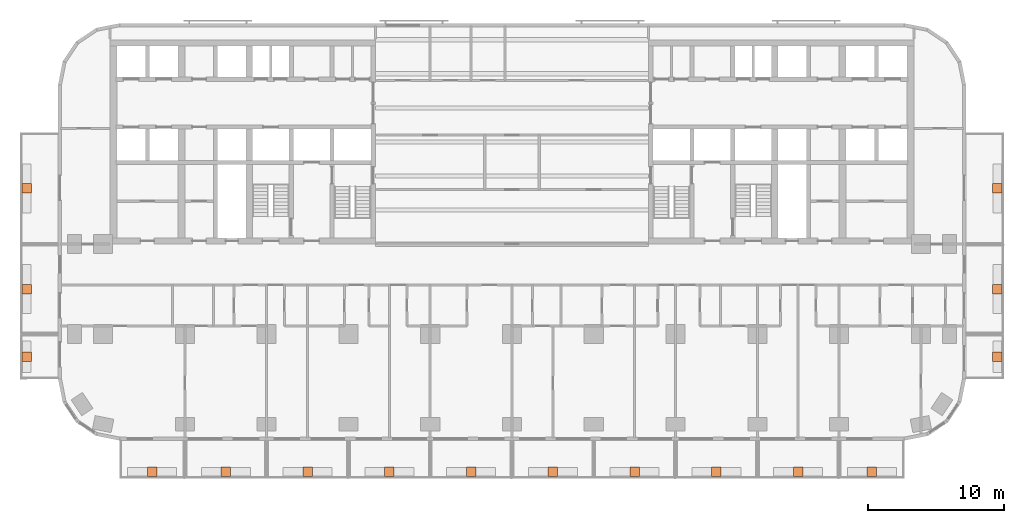
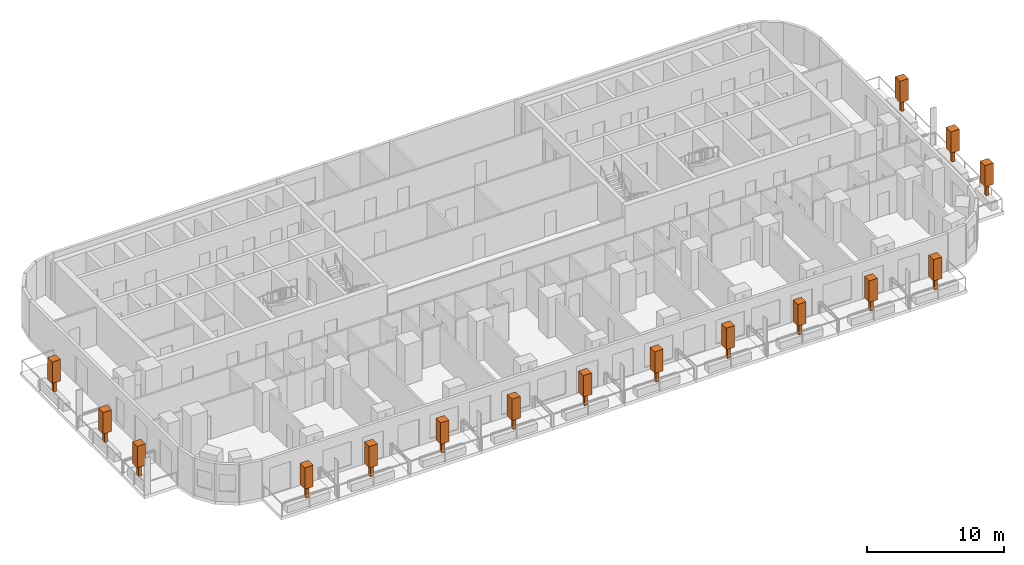
# One storey, part 15 of 15: 16 geographic elements.
"""IFC4 building model written with IfcOpenShell, lengths in metres."""

from ifc_helpers import new_model, si_unit, direction, frame, origin, origin_2d, place, context, subcontext, project, spatial, rectangle, extrude, material, element, save


model = new_model("IFC4")

# Units and contexts
model_context = context("Model", 3, precision=1e-05, world=origin(), true_north=direction((0.0, 1.0)))
body_context = subcontext(model_context, "Body", "Model", "MODEL_VIEW")
ifc_project = project(units=[si_unit("LENGTHUNIT", "METRE"), si_unit("AREAUNIT", "SQUARE_METRE"), si_unit("VOLUMEUNIT", "CUBIC_METRE"), si_unit("PLANEANGLEUNIT", "RADIAN"), si_unit("MASSUNIT", "GRAM", prefix="KILO")], contexts=[model_context])

# Site, building, storey
site_placement = place(None, origin())
site = spatial("IfcSite", under=ifc_project, at=site_placement, CompositionType="ELEMENT")
building_placement = place(site_placement, origin())
building = spatial("IfcBuilding", under=site, at=building_placement, Name="Torana Hotel and Residences", CompositionType="ELEMENT")
storey_placement = place(building_placement, frame((0.0, 0.0, 70.800048828125)))
storey = spatial("IfcBuildingStorey", under=building, at=storey_placement, Name="L17", CompositionType="ELEMENT", Elevation=70.800048828125)

# Geographic elements
ifc_material = material(Name="Foliage", Category="planting")
for number, where, z_axis, x_axis, name in (
    (1, (-26.39990234375, -31.699951171875, 0.64990234375), (0.0, 0.0, 1.0), (1.0, 0.0, 0.0), "Tree 01"),
    (2, (-21.0, -31.699951171875, 0.64990234375), (0.0, 0.0, 1.0), (1.0, 0.0, 0.0), "Tree 02"),
    (3, (-15.0, -31.699951171875, 0.64990234375), (0.0, 0.0, 1.0), (1.0, 0.0, 0.0), "Tree 03"),
    (4, (-9.0, -31.699951171875, 0.64990234375), (0.0, 0.0, 1.0), (1.0, 0.0, 0.0), "Tree 04"),
    (5, (-3.0, -31.699951171875, 0.64990234375), (0.0, 0.0, 1.0), (1.0, 0.0, 0.0), "Tree 05"),
    (6, (3.0, -31.699951171875, 0.64990234375), (0.0, 0.0, 1.0), (1.0, 0.0, 0.0), "Tree 06"),
    (7, (9.0, -31.699951171875, 0.64990234375), (0.0, 0.0, 1.0), (1.0, 0.0, 0.0), "Tree 07"),
    (8, (15.0, -31.699951171875, 0.64990234375), (0.0, 0.0, 1.0), (1.0, 0.0, 0.0), "Tree 08"),
    (9, (21.0, -31.699951171875, 0.64990234375), (0.0, 0.0, 1.0), (1.0, 0.0, 0.0), "Tree 09"),
    (10, (26.39990234375, -31.699951171875, 0.64990234375), (0.0, 0.0, 1.0), (1.0, 0.0, 0.0), "Tree 10"),
    (11, (-35.60009765625, -23.25, 0.64990234375), (0.0, 0.0, 1.0), (1.0, 0.0, 0.0), "Tree 11"),
    (12, (-35.60009765625, -18.300048828125, 0.64990234375), (0.0, 0.0, 1.0), (1.0, 0.0, 0.0), "Tree 12"),
    (13, (-35.60009765625, -10.89990234375, 0.64990234375), (0.0, 0.0, 1.0), (1.0, 0.0, 0.0), "Tree 13"),
    (14, (35.60009765625, -23.25, 0.64990234375), (0.0, 0.0, 1.0), (1.0, 0.0, 0.0), "Tree 14"),
    (15, (35.60009765625, -18.300048828125, 0.64990234375), (0.0, 0.0, 1.0), (1.0, 0.0, 0.0), "Tree 15"),
    (16, (35.60009765625, -10.89990234375, 0.64990234375), (0.0, 0.0, 1.0), (1.0, 0.0, 0.0), "Tree 16"),
):
    element("IfcGeographicElement", number, at=place(storey_placement, frame(where, z_axis=z_axis, x_axis=x_axis)), inside=storey, material=ifc_material, Name=name, ObjectType="TREE", PredefinedType="USERDEFINED", context=body_context, shape_type="SweptSolid", body=[
        extrude(rectangle(XDim=0.25, YDim=0.25, at=origin_2d()), origin(), (0.0, 0.0, 1.0), 1.0),
        extrude(rectangle(XDim=0.699951171875, YDim=0.699951171875, at=origin_2d()), frame((0.0, 0.0, 1.0)), (0.0, 0.0, 1.0), 1.89990234375),
    ])

save(model, "model.ifc")
